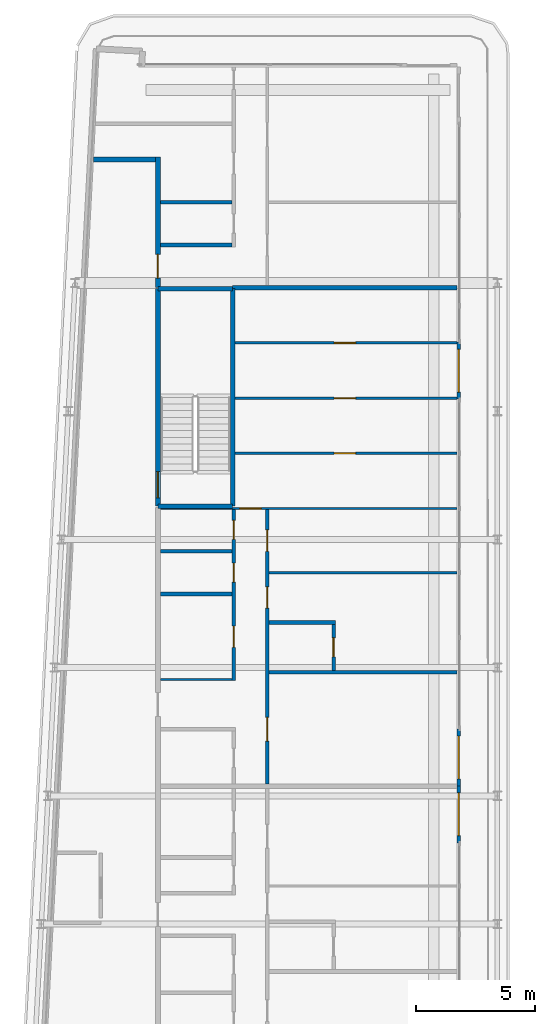
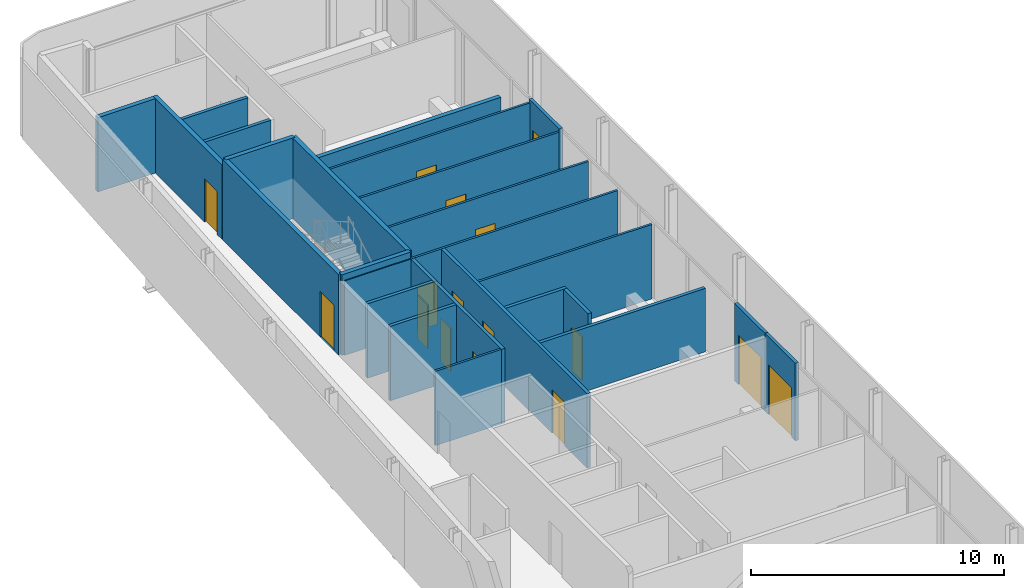
# One storey, part 11 of 18: 25 walls, 16 doors, 16 openings.
"""IFC4 building model written with IfcOpenShell, lengths in metres."""

from ifc_helpers import new_model, si_unit, direction, frame, frame_2d, origin, place, context, subcontext, project, spatial, rectangle, extrude, source, transform, mapped, material, layer, layer_set, type_object, element, fill, save


model = new_model("IFC4")

# Units and contexts
model_context = context("Model", 3, precision=1e-05, world=origin(), true_north=direction((0.0, 1.0)))
body_context = subcontext(model_context, "Body", "Model", "MODEL_VIEW")
ifc_project = project(units=[si_unit("LENGTHUNIT", "METRE"), si_unit("AREAUNIT", "SQUARE_METRE"), si_unit("VOLUMEUNIT", "CUBIC_METRE"), si_unit("PLANEANGLEUNIT", "RADIAN"), si_unit("MASSUNIT", "GRAM", prefix="KILO")], contexts=[model_context])

# Site, building, storey
site_placement = place(None, origin())
site = spatial("IfcSite", under=ifc_project, at=site_placement, CompositionType="ELEMENT")
building_placement = place(site_placement, origin())
building = spatial("IfcBuilding", under=site, at=building_placement, Name="Kheshtan School and Residences Tower", CompositionType="ELEMENT")
storey_placement = place(building_placement, frame((0.0, 0.0, 369.5)))
storey = spatial("IfcBuildingStorey", under=building, at=storey_placement, Name="L87", CompositionType="ELEMENT", Elevation=369.5)

# Wall
ifc_material_1 = material(Name="Gypsum board on steel studs with fire boards", Category="steel")
ifc_layer_1 = layer(ifc_material_1, 0.199951171875)
ifc_layer_set_1 = layer_set([ifc_layer_1], Name="Corridor wall 200")
wall_type_1 = type_object("IfcWallType", Name="Corridor wall 200", PredefinedType="PARTITIONING", material=ifc_layer_set_1)
wall_1_placement = place(storey_placement, frame((30.584716796875, 94.0, 0.0), z_axis=(0.0, 0.0, 1.0), x_axis=(1.0, 0.0, 0.0)))
element("IfcWall", 1, at=wall_1_placement, inside=storey, type_object=wall_type_1, Name="Partition L87-002", PredefinedType="PARTITIONING", context=body_context, shape_type="SweptSolid", body=[
    extrude(rectangle(XDim=2.615234375, YDim=0.199951171875, at=frame_2d((1.3076171875, 0.0))), origin(), (0.0, 0.0, 1.0), 3.60009765625),
])

# Wall, opening, door
wall_2_placement = place(storey_placement, frame((33.300048828125, 88.60009765625, 0.0), z_axis=(0.0, 0.0, 1.0), x_axis=(0.0, 1.0, 0.0)))
wall_2 = element("IfcWall", 2, at=wall_2_placement, inside=storey, type_object=wall_type_1, Name="Partition L87-004", PredefinedType="PARTITIONING", context=body_context, shape_type="SweptSolid", body=[
    extrude(rectangle(XDim=5.5, YDim=0.199951171875, at=frame_2d((2.75, 0.0))), origin(), (0.0, 0.0, 1.0), 3.60009765625),
])
opening_1_placement = place(wall_2_placement, frame((0.39990234375, 0.0, 0.0)))
opening_1 = element("IfcOpeningElement", 3, at=opening_1_placement, cuts=wall_2, Name="Opening D87-025", PredefinedType="OPENING", context=body_context, shape_type="SweptSolid", body=[
    extrude(rectangle(XDim=1.0, YDim=2.10009765625, at=frame_2d((0.5, 1.050048828125))), frame((0.0, 0.10986328125, 0.0), z_axis=(0.0, -1.0, 0.0), x_axis=(1.0, 0.0, 0.0)), (0.0, 0.0, 1.0), 0.219970703125),
])
ifc_material_2 = material(Name="Steel-framed fire-resisting door leaf", Category="steel")
door_type_1 = type_object("IfcDoorType", Name="Fire door FD30S 1000 x 2100", OperationType="SINGLE_SWING_LEFT", PredefinedType="DOOR", material=ifc_material_2)
shared_shape_1 = source(origin(), body_context, "Body", "SweptSolid", [
    extrude(rectangle(XDim=1.0, YDim=2.10009765625, at=frame_2d((0.5, 1.050048828125))), frame((0.0, 0.02490234375, 0.0), z_axis=(0.0, -1.0, 0.0), x_axis=(1.0, 0.0, 0.0)), (0.0, 0.0, 1.0), 0.050048828125),
])
door_1_placement = place(opening_1_placement, origin())
door_1 = element("IfcDoor", 4, at=door_1_placement, inside=storey, type_object=door_type_1, Name="Door D87-025", OperationType="SINGLE_SWING_LEFT", OverallHeight=2.10009765625, OverallWidth=1.0, PredefinedType="DOOR", context=body_context, shape_type="MappedRepresentation", body=[
    mapped(shared_shape_1, transform((0.0, 0.0, 0.0), x_axis=(1.0, 0.0, 0.0), y_axis=(0.0, 1.0, 0.0), z_axis=(0.0, 0.0, 1.0), scale=1.0)),
])
fill(opening_1, door_1)

ifc_material_3 = material(Name="Aluminium frame wall with insulated infill", Category="aluminium")
ifc_layer_2 = layer(ifc_material_3, 0.14990234375)
ifc_layer_set_2 = layer_set([ifc_layer_2], Name="Glazing frame wall 150")
wall_type_2 = type_object("IfcWallType", Name="Glazing frame wall 150", PredefinedType="SOLIDWALL", material=ifc_layer_set_2)
wall_3_placement = place(storey_placement, frame((45.97509765625, 86.305908203125, 0.0), z_axis=(0.0, 0.0, 1.0), x_axis=(0.0, -1.0, 0.0)))
wall_3 = element("IfcWall", 5, at=wall_3_placement, inside=storey, type_object=wall_type_2, Name="Balcony door wall L87 8.2", PredefinedType="SOLIDWALL", context=body_context, shape_type="SweptSolid", body=[
    extrude(rectangle(XDim=2.39990234375, YDim=0.14990234375, at=frame_2d((1.199951171875, 0.0))), origin(), (0.0, 0.0, 1.0), 3.75),
])
opening_2_placement = place(wall_3_placement, frame((0.300048828125, 0.0, 0.0)))
opening_2 = element("IfcOpeningElement", 6, at=opening_2_placement, cuts=wall_3, Name="Opening BD", PredefinedType="OPENING", context=body_context, shape_type="SweptSolid", body=[
    extrude(rectangle(XDim=1.800048828125, YDim=2.39990234375, at=frame_2d((0.89990234375, 1.199951171875))), frame((0.0, 0.0849609375, 0.0), z_axis=(0.0, -1.0, 0.0), x_axis=(1.0, 0.0, 0.0)), (0.0, 0.0, 1.0), 0.169921875),
])
ifc_material_4 = material(Name="Clear low-e glass in thermally broken aluminium frame", Category="aluminium")
door_type_2 = type_object("IfcDoorType", Name="Balcony sliding door", OperationType="SLIDING_TO_LEFT", PredefinedType="DOOR", material=ifc_material_4)
shared_shape_2 = source(origin(), body_context, "Body", "SweptSolid", [
    extrude(rectangle(XDim=1.800048828125, YDim=2.39990234375, at=frame_2d((0.89990234375, 1.199951171875))), frame((0.0, 0.02490234375, 0.0), z_axis=(0.0, -1.0, 0.0), x_axis=(1.0, 0.0, 0.0)), (0.0, 0.0, 1.0), 0.050048828125),
])
door_2_placement = place(opening_2_placement, origin())
door_2 = element("IfcDoor", 7, at=door_2_placement, inside=storey, type_object=door_type_2, Name="Balcony door L87 8.2", OperationType="SLIDING_TO_LEFT", OverallHeight=2.39990234375, OverallWidth=1.800048828125, PredefinedType="DOOR", context=body_context, shape_type="MappedRepresentation", body=[
    mapped(shared_shape_2, transform((0.0, 0.0, 0.0), x_axis=(1.0, 0.0, 0.0), y_axis=(0.0, 1.0, 0.0), z_axis=(0.0, 0.0, 1.0), scale=1.0)),
])
fill(opening_2, door_2)

wall_4_placement = place(storey_placement, frame((45.97509765625, 70.01806640625, 0.0), z_axis=(0.0, 0.0, 1.0), x_axis=(0.0, -1.0, 0.0)))
wall_4 = element("IfcWall", 8, at=wall_4_placement, inside=storey, type_object=wall_type_2, Name="Balcony door wall L87 8.3", PredefinedType="SOLIDWALL", context=body_context, shape_type="SweptSolid", body=[
    extrude(rectangle(XDim=2.400146484375, YDim=0.14990234375, at=frame_2d((1.2001953125, 0.0))), origin(), (0.0, 0.0, 1.0), 3.75),
])
opening_3_placement = place(wall_4_placement, frame((0.300048828125, 0.0, 0.0)))
opening_3 = element("IfcOpeningElement", 9, at=opening_3_placement, cuts=wall_4, Name="Opening BD", PredefinedType="OPENING", context=body_context, shape_type="SweptSolid", body=[
    extrude(rectangle(XDim=1.800048828125, YDim=2.39990234375, at=frame_2d((0.89990234375, 1.199951171875))), frame((0.0, 0.0849609375, 0.0), z_axis=(0.0, -1.0, 0.0), x_axis=(1.0, 0.0, 0.0)), (0.0, 0.0, 1.0), 0.169921875),
])
door_3_placement = place(opening_3_placement, origin())
door_3 = element("IfcDoor", 10, at=door_3_placement, inside=storey, type_object=door_type_2, Name="Balcony door L87 8.3", OperationType="SLIDING_TO_LEFT", OverallHeight=2.39990234375, OverallWidth=1.800048828125, PredefinedType="DOOR", context=body_context, shape_type="MappedRepresentation", body=[
    mapped(shared_shape_2, transform((0.0, 0.0, 0.0), x_axis=(1.0, 0.0, 0.0), y_axis=(0.0, 1.0, 0.0), z_axis=(0.0, 0.0, 1.0), scale=1.0)),
])
fill(opening_3, door_3)

wall_5_placement = place(storey_placement, frame((45.97509765625, 67.617919921875, 0.0), z_axis=(0.0, 0.0, 1.0), x_axis=(0.0, -1.0, 0.0)))
wall_5 = element("IfcWall", 11, at=wall_5_placement, inside=storey, type_object=wall_type_2, Name="Balcony door wall L87 8.4", PredefinedType="SOLIDWALL", context=body_context, shape_type="SweptSolid", body=[
    extrude(rectangle(XDim=2.39990234375, YDim=0.14990234375, at=frame_2d((1.199951171875, 0.0))), origin(), (0.0, 0.0, 1.0), 3.75),
])
opening_4_placement = place(wall_5_placement, frame((0.300048828125, 0.0, 0.0)))
opening_4 = element("IfcOpeningElement", 12, at=opening_4_placement, cuts=wall_5, Name="Opening BD", PredefinedType="OPENING", context=body_context, shape_type="SweptSolid", body=[
    extrude(rectangle(XDim=1.800048828125, YDim=2.39990234375, at=frame_2d((0.89990234375, 1.199951171875))), frame((0.0, 0.0849609375, 0.0), z_axis=(0.0, -1.0, 0.0), x_axis=(1.0, 0.0, 0.0)), (0.0, 0.0, 1.0), 0.169921875),
])
door_4_placement = place(opening_4_placement, origin())
door_4 = element("IfcDoor", 13, at=door_4_placement, inside=storey, type_object=door_type_2, Name="Balcony door L87 8.4", OperationType="SLIDING_TO_LEFT", OverallHeight=2.39990234375, OverallWidth=1.800048828125, PredefinedType="DOOR", context=body_context, shape_type="MappedRepresentation", body=[
    mapped(shared_shape_2, transform((0.0, 0.0, 0.0), x_axis=(1.0, 0.0, 0.0), y_axis=(0.0, 1.0, 0.0), z_axis=(0.0, 0.0, 1.0), scale=1.0)),
])
fill(opening_4, door_4)

# Wall
ifc_material_5 = material(Name="Gypsum board on steel studs", Category="steel")
ifc_layer_3 = layer(ifc_material_5, 0.10009765625)
ifc_layer_set_3 = layer_set([ifc_layer_3], Name="Gypsum partition 100")
wall_type_3 = type_object("IfcWallType", Name="Gypsum partition 100", PredefinedType="PARTITIONING", material=ifc_layer_set_3)
wall_6_placement = place(storey_placement, frame((33.39990234375, 72.10009765625, 0.0), z_axis=(0.0, 0.0, 1.0), x_axis=(1.0, 0.0, 0.0)))
element("IfcWall", 14, at=wall_6_placement, inside=storey, type_object=wall_type_3, Name="Partition L87-012", PredefinedType="PARTITIONING", context=body_context, shape_type="SweptSolid", body=[
    extrude(rectangle(XDim=3.025146484375, YDim=0.10009765625, at=frame_2d((1.5126953125, 0.0))), origin(), (0.0, 0.0, 1.0), 3.60009765625),
])

# Wall, opening, door
wall_7_placement = place(storey_placement, frame((33.39990234375, 79.300048828125, 0.0), z_axis=(0.0, 0.0, 1.0), x_axis=(1.0, 0.0, 0.0)))
wall_7 = element("IfcWall", 15, at=wall_7_placement, inside=storey, type_object=wall_type_3, Name="Partition L87-015", PredefinedType="PARTITIONING", context=body_context, shape_type="SweptSolid", body=[
    extrude(rectangle(XDim=12.5, YDim=0.10009765625, at=frame_2d((6.25, 0.0))), origin(), (0.0, 0.0, 1.0), 3.60009765625),
])
opening_5_placement = place(wall_7_placement, frame((3.35498046875, 0.0, 0.0)))
opening_5 = element("IfcOpeningElement", 16, at=opening_5_placement, cuts=wall_7, Name="Opening D87-019", PredefinedType="OPENING", context=body_context, shape_type="SweptSolid", body=[
    extrude(rectangle(XDim=0.89990234375, YDim=2.10009765625, at=frame_2d((0.449951171875, 1.050048828125))), frame((0.0, 0.06005859375, 0.0), z_axis=(0.0, -1.0, 0.0), x_axis=(1.0, 0.0, 0.0)), (0.0, 0.0, 1.0), 0.1201171875),
])
ifc_material_6 = material(Name="Veneered timber door leaf", Category="wood")
door_type_3 = type_object("IfcDoorType", Name="Door 900 x 2100", OperationType="SINGLE_SWING_LEFT", PredefinedType="DOOR", material=ifc_material_6)
shared_shape_3 = source(origin(), body_context, "Body", "SweptSolid", [
    extrude(rectangle(XDim=0.89990234375, YDim=2.10009765625, at=frame_2d((0.449951171875, 1.050048828125))), frame((0.0, 0.02490234375, 0.0), z_axis=(0.0, -1.0, 0.0), x_axis=(1.0, 0.0, 0.0)), (0.0, 0.0, 1.0), 0.050048828125),
])
door_5_placement = place(opening_5_placement, origin())
door_5 = element("IfcDoor", 17, at=door_5_placement, inside=storey, type_object=door_type_3, Name="Door D87-019", OperationType="SINGLE_SWING_LEFT", OverallHeight=2.10009765625, OverallWidth=0.89990234375, PredefinedType="DOOR", context=body_context, shape_type="MappedRepresentation", body=[
    mapped(shared_shape_3, transform((0.0, 0.0, 0.0), x_axis=(1.0, 0.0, 0.0), y_axis=(0.0, 1.0, 0.0), z_axis=(0.0, 0.0, 1.0), scale=1.0)),
])
fill(opening_5, door_5)

wall_8_placement = place(storey_placement, frame((36.549072265625, 81.625, 0.0), z_axis=(0.0, 0.0, 1.0), x_axis=(1.0, 0.0, 0.0)))
wall_8 = element("IfcWall", 18, at=wall_8_placement, inside=storey, type_object=wall_type_3, Name="Partition L87-025", PredefinedType="PARTITIONING", context=body_context, shape_type="SweptSolid", body=[
    extrude(rectangle(XDim=9.350830078125, YDim=0.10009765625, at=frame_2d((4.67529296875, 0.0))), origin(), (0.0, 0.0, 1.0), 3.60009765625),
])
opening_6_placement = place(wall_8_placement, frame((4.176025390625, 0.0, 0.0)))
opening_6 = element("IfcOpeningElement", 19, at=opening_6_placement, cuts=wall_8, Name="Opening D87-020", PredefinedType="OPENING", context=body_context, shape_type="SweptSolid", body=[
    extrude(rectangle(XDim=0.89990234375, YDim=2.10009765625, at=frame_2d((0.449951171875, 1.050048828125))), frame((0.0, 0.06005859375, 0.0), z_axis=(0.0, -1.0, 0.0), x_axis=(1.0, 0.0, 0.0)), (0.0, 0.0, 1.0), 0.1201171875),
])
door_6_placement = place(opening_6_placement, origin())
door_6 = element("IfcDoor", 20, at=door_6_placement, inside=storey, type_object=door_type_3, Name="Door D87-020", OperationType="SINGLE_SWING_RIGHT", OverallHeight=2.10009765625, OverallWidth=0.89990234375, PredefinedType="DOOR", context=body_context, shape_type="MappedRepresentation", body=[
    mapped(shared_shape_3, transform((0.0, 0.0, 0.0), x_axis=(1.0, 0.0, 0.0), y_axis=(0.0, 1.0, 0.0), z_axis=(0.0, 0.0, 1.0), scale=1.0)),
])
fill(opening_6, door_6)

wall_9_placement = place(storey_placement, frame((36.549072265625, 83.949951171875, 0.0), z_axis=(0.0, 0.0, 1.0), x_axis=(1.0, 0.0, 0.0)))
wall_9 = element("IfcWall", 21, at=wall_9_placement, inside=storey, type_object=wall_type_3, Name="Partition L87-026", PredefinedType="PARTITIONING", context=body_context, shape_type="SweptSolid", body=[
    extrude(rectangle(XDim=9.350830078125, YDim=0.10009765625, at=frame_2d((4.67529296875, 0.0))), origin(), (0.0, 0.0, 1.0), 3.60009765625),
])
opening_7_placement = place(wall_9_placement, frame((4.176025390625, 0.0, 0.0)))
opening_7 = element("IfcOpeningElement", 22, at=opening_7_placement, cuts=wall_9, Name="Opening D87-021", PredefinedType="OPENING", context=body_context, shape_type="SweptSolid", body=[
    extrude(rectangle(XDim=0.89990234375, YDim=2.10009765625, at=frame_2d((0.449951171875, 1.050048828125))), frame((0.0, 0.06005859375, 0.0), z_axis=(0.0, -1.0, 0.0), x_axis=(1.0, 0.0, 0.0)), (0.0, 0.0, 1.0), 0.1201171875),
])
door_7_placement = place(opening_7_placement, origin())
door_7 = element("IfcDoor", 23, at=door_7_placement, inside=storey, type_object=door_type_3, Name="Door D87-021", OperationType="SINGLE_SWING_RIGHT", OverallHeight=2.10009765625, OverallWidth=0.89990234375, PredefinedType="DOOR", context=body_context, shape_type="MappedRepresentation", body=[
    mapped(shared_shape_3, transform((0.0, 0.0, 0.0), x_axis=(1.0, 0.0, 0.0), y_axis=(0.0, 1.0, 0.0), z_axis=(0.0, 0.0, 1.0), scale=1.0)),
])
fill(opening_7, door_7)

wall_10_placement = place(storey_placement, frame((36.549072265625, 86.27490234375, 0.0), z_axis=(0.0, 0.0, 1.0), x_axis=(1.0, 0.0, 0.0)))
wall_10 = element("IfcWall", 24, at=wall_10_placement, inside=storey, type_object=wall_type_3, Name="Partition L87-027", PredefinedType="PARTITIONING", context=body_context, shape_type="SweptSolid", body=[
    extrude(rectangle(XDim=9.350830078125, YDim=0.10009765625, at=frame_2d((4.67529296875, 0.0))), origin(), (0.0, 0.0, 1.0), 3.60009765625),
])
opening_8_placement = place(wall_10_placement, frame((4.176025390625, 0.0, 0.0)))
opening_8 = element("IfcOpeningElement", 25, at=opening_8_placement, cuts=wall_10, Name="Opening D87-022", PredefinedType="OPENING", context=body_context, shape_type="SweptSolid", body=[
    extrude(rectangle(XDim=0.89990234375, YDim=2.10009765625, at=frame_2d((0.449951171875, 1.050048828125))), frame((0.0, 0.06005859375, 0.0), z_axis=(0.0, -1.0, 0.0), x_axis=(1.0, 0.0, 0.0)), (0.0, 0.0, 1.0), 0.1201171875),
])
door_8_placement = place(opening_8_placement, origin())
door_8 = element("IfcDoor", 26, at=door_8_placement, inside=storey, type_object=door_type_3, Name="Door D87-022", OperationType="SINGLE_SWING_RIGHT", OverallHeight=2.10009765625, OverallWidth=0.89990234375, PredefinedType="DOOR", context=body_context, shape_type="MappedRepresentation", body=[
    mapped(shared_shape_3, transform((0.0, 0.0, 0.0), x_axis=(1.0, 0.0, 0.0), y_axis=(0.0, 1.0, 0.0), z_axis=(0.0, 0.0, 1.0), scale=1.0)),
])
fill(opening_8, door_8)

# Walls
wall_11_placement = place(storey_placement, frame((37.97509765625, 76.60009765625, 0.0), z_axis=(0.0, 0.0, 1.0), x_axis=(1.0, 0.0, 0.0)))
element("IfcWall", 27, at=wall_11_placement, inside=storey, type_object=wall_type_3, Name="Partition L87-037", PredefinedType="PARTITIONING", context=body_context, shape_type="SweptSolid", body=[
    extrude(rectangle(XDim=7.9248046875, YDim=0.10009765625, at=frame_2d((3.96240234375, 0.0))), origin(), (0.0, 0.0, 1.0), 3.60009765625),
])
ifc_material_7 = material(Name="Concrete C40/50", Category="concrete")
ifc_layer_4 = layer(ifc_material_7, 0.199951171875)
ifc_layer_set_4 = layer_set([ifc_layer_4], Name="Stair enclosure wall 200 Concrete C40/50")
wall_type_4 = type_object("IfcWallType", Name="Stair enclosure wall 200 Concrete C40/50", PredefinedType="SHEAR", material=ifc_layer_set_4)
for number, where, z_axis, x_axis, name in (
    (28, (33.300048828125, 79.39990234375, 0.0), (0.0, 0.0, 1.0), (1.0, 0.0, 0.0), "Stair enclosure wall ST3"),
    (29, (33.300048828125, 88.56005859375, 0.0), (0.0, 0.0, 1.0), (1.0, 0.0, 0.0), "Stair enclosure wall ST3"),
):
    element("IfcWall", number, at=place(storey_placement, frame(where, z_axis=z_axis, x_axis=x_axis)), inside=storey, type_object=wall_type_4, Name=name, PredefinedType="SHEAR", context=body_context, shape_type="SweptSolid", body=[
        extrude(rectangle(XDim=3.14990234375, YDim=0.199951171875, at=frame_2d((1.574951171875, 0.0))), origin(), (0.0, 0.0, 1.0), 3.89990234375),
    ])

# Wall, opening, door
wall_12_placement = place(storey_placement, frame((33.300048828125, 79.39990234375, 0.0), z_axis=(0.0, 0.0, 1.0), x_axis=(0.0, 1.0, 0.0)))
wall_12 = element("IfcWall", 30, at=wall_12_placement, inside=storey, type_object=wall_type_4, Name="Stair enclosure wall ST3", PredefinedType="SHEAR", context=body_context, shape_type="SweptSolid", body=[
    extrude(rectangle(XDim=9.16015625, YDim=0.199951171875, at=frame_2d((4.580078125, 0.0))), origin(), (0.0, 0.0, 1.0), 3.89990234375),
])
opening_9_placement = place(wall_12_placement, frame((0.35009765625, 0.0, 0.0)))
opening_9 = element("IfcOpeningElement", 31, at=opening_9_placement, cuts=wall_12, Name="Opening ST3D", PredefinedType="OPENING", context=body_context, shape_type="SweptSolid", body=[
    extrude(rectangle(XDim=1.10009765625, YDim=2.199951171875, at=frame_2d((0.550048828125, 1.10009765625))), frame((0.0, 0.10986328125, 0.0), z_axis=(0.0, -1.0, 0.0), x_axis=(1.0, 0.0, 0.0)), (0.0, 0.0, 1.0), 0.219970703125),
])
ifc_material_8 = material(Name="Steel door leaf, galvanised", Category="steel")
door_type_4 = type_object("IfcDoorType", Name="Stair door 1100 steel 90 min", OperationType="SINGLE_SWING_LEFT", PredefinedType="DOOR", material=ifc_material_8)
shared_shape_4 = source(origin(), body_context, "Body", "SweptSolid", [
    extrude(rectangle(XDim=1.10009765625, YDim=2.199951171875, at=frame_2d((0.550048828125, 1.10009765625))), frame((0.0, 0.02490234375, 0.0), z_axis=(0.0, -1.0, 0.0), x_axis=(1.0, 0.0, 0.0)), (0.0, 0.0, 1.0), 0.050048828125),
])
door_9_placement = place(opening_9_placement, origin())
door_9 = element("IfcDoor", 32, at=door_9_placement, inside=storey, type_object=door_type_4, Name="Stair ST3 door", OperationType="SINGLE_SWING_RIGHT", OverallHeight=2.199951171875, OverallWidth=1.10009765625, PredefinedType="DOOR", context=body_context, shape_type="MappedRepresentation", body=[
    mapped(shared_shape_4, transform((0.0, 0.0, 0.0), x_axis=(1.0, 0.0, 0.0), y_axis=(0.0, 1.0, 0.0), z_axis=(0.0, 0.0, 1.0), scale=1.0)),
])
fill(opening_9, door_9)

# Walls
wall_13_placement = place(storey_placement, frame((36.449951171875, 79.39990234375, 0.0), z_axis=(0.0, 0.0, 1.0), x_axis=(0.0, 1.0, 0.0)))
element("IfcWall", 33, at=wall_13_placement, inside=storey, type_object=wall_type_4, Name="Stair enclosure wall ST3", PredefinedType="SHEAR", context=body_context, shape_type="SweptSolid", body=[
    extrude(rectangle(XDim=9.16015625, YDim=0.199951171875, at=frame_2d((4.580078125, 0.0))), origin(), (0.0, 0.0, 1.0), 3.89990234375),
])
ifc_material_9 = material(Name="Twin gypsum board on steel studs with mineral wool", Category="steel")
ifc_layer_5 = layer(ifc_material_9, 0.199951171875)
ifc_layer_set_5 = layer_set([ifc_layer_5], Name="Unit demising wall 200")
wall_type_5 = type_object("IfcWallType", Name="Unit demising wall 200", PredefinedType="PARTITIONING", material=ifc_layer_set_5)
wall_14_placement = place(storey_placement, frame((36.449951171875, 88.60009765625, 0.0), z_axis=(0.0, 0.0, 1.0), x_axis=(1.0, 0.0, 0.0)))
element("IfcWall", 34, at=wall_14_placement, inside=storey, type_object=wall_type_5, Name="Partition L87-023", PredefinedType="PARTITIONING", context=body_context, shape_type="SweptSolid", body=[
    extrude(rectangle(XDim=9.449951171875, YDim=0.199951171875, at=frame_2d((4.72509765625, 0.0))), origin(), (0.0, 0.0, 1.0), 2.5),
])
ifc_material_10 = material(Name="Moisture-resistant gypsum board on steel studs", Category="steel")
ifc_layer_6 = layer(ifc_material_10, 0.14990234375)
ifc_layer_set_6 = layer_set([ifc_layer_6], Name="Wet-room partition 150")
wall_type_6 = type_object("IfcWallType", Name="Wet-room partition 150", PredefinedType="PARTITIONING", material=ifc_layer_set_6)
for number, where, z_axis, x_axis, name in (
    (35, (33.39990234375, 75.699951171875, 0.0), (0.0, 0.0, 1.0), (1.0, 0.0, 0.0), "Partition L87-013"),
    (36, (33.39990234375, 77.5, 0.0), (0.0, 0.0, 1.0), (1.0, 0.0, 0.0), "Partition L87-014"),
    (37, (33.39990234375, 90.39990234375, 0.0), (0.0, 0.0, 1.0), (1.0, 0.0, 0.0), "Partition L87-016"),
    (38, (33.39990234375, 92.199951171875, 0.0), (0.0, 0.0, 1.0), (1.0, 0.0, 0.0), "Partition L87-017"),
):
    element("IfcWall", number, at=place(storey_placement, frame(where, z_axis=z_axis, x_axis=x_axis)), inside=storey, type_object=wall_type_6, Name=name, PredefinedType="PARTITIONING", context=body_context, shape_type="SweptSolid", body=[
        extrude(rectangle(XDim=3.025146484375, YDim=0.14990234375, at=frame_2d((1.5126953125, 0.0))), origin(), (0.0, 0.0, 1.0), 3.60009765625),
    ])

# Wall, openings, doors
wall_15_placement = place(storey_placement, frame((36.5, 72.050048828125, 0.0), z_axis=(0.0, 0.0, 1.0), x_axis=(0.0, 1.0, 0.0)))
wall_15 = element("IfcWall", 39, at=wall_15_placement, inside=storey, type_object=wall_type_6, Name="Partition L87-022", PredefinedType="PARTITIONING", context=body_context, shape_type="SweptSolid", body=[
    extrude(rectangle(XDim=7.199951171875, YDim=0.14990234375, at=frame_2d((3.60009765625, 0.0))), origin(), (0.0, 0.0, 1.0), 3.60009765625),
])
opening_10_placement = place(wall_15_placement, frame((1.39990234375, 0.0, 0.0)))
opening_10 = element("IfcOpeningElement", 40, at=opening_10_placement, cuts=wall_15, Name="Opening D87-014", PredefinedType="OPENING", context=body_context, shape_type="SweptSolid", body=[
    extrude(rectangle(XDim=0.89990234375, YDim=2.10009765625, at=frame_2d((0.449951171875, 1.050048828125))), frame((0.0, 0.0849609375, 0.0), z_axis=(0.0, -1.0, 0.0), x_axis=(1.0, 0.0, 0.0)), (0.0, 0.0, 1.0), 0.169921875),
])
opening_11_placement = place(wall_15_placement, frame((5.949951171875, 0.0, 0.0)))
opening_11 = element("IfcOpeningElement", 41, at=opening_11_placement, cuts=wall_15, Name="Opening D87-017", PredefinedType="OPENING", context=body_context, shape_type="SweptSolid", body=[
    extrude(rectangle(XDim=0.800048828125, YDim=2.10009765625, at=frame_2d((0.39990234375, 1.050048828125))), frame((0.0, 0.0849609375, 0.0), z_axis=(0.0, -1.0, 0.0), x_axis=(1.0, 0.0, 0.0)), (0.0, 0.0, 1.0), 0.169921875),
])
opening_12_placement = place(wall_15_placement, frame((4.14990234375, 0.0, 0.0)))
opening_12 = element("IfcOpeningElement", 42, at=opening_12_placement, cuts=wall_15, Name="Opening D87-018", PredefinedType="OPENING", context=body_context, shape_type="SweptSolid", body=[
    extrude(rectangle(XDim=0.800048828125, YDim=2.10009765625, at=frame_2d((0.39990234375, 1.050048828125))), frame((0.0, 0.0849609375, 0.0), z_axis=(0.0, -1.0, 0.0), x_axis=(1.0, 0.0, 0.0)), (0.0, 0.0, 1.0), 0.169921875),
])
door_type_5 = type_object("IfcDoorType", Name="Door 800 x 2100", OperationType="SINGLE_SWING_LEFT", PredefinedType="DOOR", material=ifc_material_6)
shared_shape_5 = source(origin(), body_context, "Body", "SweptSolid", [
    extrude(rectangle(XDim=0.800048828125, YDim=2.10009765625, at=frame_2d((0.39990234375, 1.050048828125))), frame((0.0, 0.02490234375, 0.0), z_axis=(0.0, -1.0, 0.0), x_axis=(1.0, 0.0, 0.0)), (0.0, 0.0, 1.0), 0.050048828125),
])
door_10_placement = place(opening_11_placement, origin())
door_10 = element("IfcDoor", 43, at=door_10_placement, inside=storey, type_object=door_type_5, Name="Door D87-017", OperationType="SINGLE_SWING_RIGHT", OverallHeight=2.10009765625, OverallWidth=0.800048828125, PredefinedType="DOOR", context=body_context, shape_type="MappedRepresentation", body=[
    mapped(shared_shape_5, transform((0.0, 0.0, 0.0), x_axis=(1.0, 0.0, 0.0), y_axis=(0.0, 1.0, 0.0), z_axis=(0.0, 0.0, 1.0), scale=1.0)),
])
fill(opening_11, door_10)
door_11_placement = place(opening_12_placement, origin())
door_11 = element("IfcDoor", 44, at=door_11_placement, inside=storey, type_object=door_type_5, Name="Door D87-018", OperationType="SINGLE_SWING_RIGHT", OverallHeight=2.10009765625, OverallWidth=0.800048828125, PredefinedType="DOOR", context=body_context, shape_type="MappedRepresentation", body=[
    mapped(shared_shape_5, transform((0.0, 0.0, 0.0), x_axis=(1.0, 0.0, 0.0), y_axis=(0.0, 1.0, 0.0), z_axis=(0.0, 0.0, 1.0), scale=1.0)),
])
fill(opening_12, door_11)
door_12_placement = place(opening_10_placement, origin())
door_12 = element("IfcDoor", 45, at=door_12_placement, inside=storey, type_object=door_type_3, Name="Door D87-014", OperationType="SINGLE_SWING_RIGHT", OverallHeight=2.10009765625, OverallWidth=0.89990234375, PredefinedType="DOOR", context=body_context, shape_type="MappedRepresentation", body=[
    mapped(shared_shape_3, transform((0.0, 0.0, 0.0), x_axis=(1.0, 0.0, 0.0), y_axis=(0.0, 1.0, 0.0), z_axis=(0.0, 0.0, 1.0), scale=1.0)),
])
fill(opening_10, door_12)

wall_16_placement = place(storey_placement, frame((37.89990234375, 67.699951171875, 0.0), z_axis=(0.0, 0.0, 1.0), x_axis=(0.0, 1.0, 0.0)))
wall_16 = element("IfcWall", 46, at=wall_16_placement, inside=storey, type_object=wall_type_6, Name="Partition L87-029", PredefinedType="PARTITIONING", context=body_context, shape_type="SweptSolid", body=[
    extrude(rectangle(XDim=11.550048828125, YDim=0.14990234375, at=frame_2d((5.77490234375, 0.0))), origin(), (0.0, 0.0, 1.0), 3.60009765625),
])
opening_13_placement = place(wall_16_placement, frame((9.800048828125, 0.0, 0.0)))
opening_13 = element("IfcOpeningElement", 47, at=opening_13_placement, cuts=wall_16, Name="Opening D87-011", PredefinedType="OPENING", context=body_context, shape_type="SweptSolid", body=[
    extrude(rectangle(XDim=0.89990234375, YDim=2.10009765625, at=frame_2d((0.449951171875, 1.050048828125))), frame((0.0, 0.0849609375, 0.0), z_axis=(0.0, -1.0, 0.0), x_axis=(1.0, 0.0, 0.0)), (0.0, 0.0, 1.0), 0.169921875),
])
opening_14_placement = place(wall_16_placement, frame((1.800048828125, 0.0, 0.0)))
opening_14 = element("IfcOpeningElement", 48, at=opening_14_placement, cuts=wall_16, Name="Opening D87-015", PredefinedType="OPENING", context=body_context, shape_type="SweptSolid", body=[
    extrude(rectangle(XDim=1.0, YDim=2.10009765625, at=frame_2d((0.5, 1.050048828125))), frame((0.0, 0.0849609375, 0.0), z_axis=(0.0, -1.0, 0.0), x_axis=(1.0, 0.0, 0.0)), (0.0, 0.0, 1.0), 0.169921875),
])
opening_15_placement = place(wall_16_placement, frame((7.39990234375, 0.0, 0.0)))
opening_15 = element("IfcOpeningElement", 49, at=opening_15_placement, cuts=wall_16, Name="Opening D87-016", PredefinedType="OPENING", context=body_context, shape_type="SweptSolid", body=[
    extrude(rectangle(XDim=0.89990234375, YDim=2.10009765625, at=frame_2d((0.449951171875, 1.050048828125))), frame((0.0, 0.0849609375, 0.0), z_axis=(0.0, -1.0, 0.0), x_axis=(1.0, 0.0, 0.0)), (0.0, 0.0, 1.0), 0.169921875),
])
door_type_6 = type_object("IfcDoorType", Name="Door 1000 x 2100", OperationType="SINGLE_SWING_LEFT", PredefinedType="DOOR", material=ifc_material_6)
shared_shape_6 = source(origin(), body_context, "Body", "SweptSolid", [
    extrude(rectangle(XDim=1.0, YDim=2.10009765625, at=frame_2d((0.5, 1.050048828125))), frame((0.0, 0.02490234375, 0.0), z_axis=(0.0, -1.0, 0.0), x_axis=(1.0, 0.0, 0.0)), (0.0, 0.0, 1.0), 0.050048828125),
])
door_13_placement = place(opening_14_placement, origin())
door_13 = element("IfcDoor", 50, at=door_13_placement, inside=storey, type_object=door_type_6, Name="Door D87-015", OperationType="SINGLE_SWING_RIGHT", OverallHeight=2.10009765625, OverallWidth=1.0, PredefinedType="DOOR", context=body_context, shape_type="MappedRepresentation", body=[
    mapped(shared_shape_6, transform((0.0, 0.0, 0.0), x_axis=(1.0, 0.0, 0.0), y_axis=(0.0, 1.0, 0.0), z_axis=(0.0, 0.0, 1.0), scale=1.0)),
])
fill(opening_14, door_13)
door_14_placement = place(opening_13_placement, origin())
door_14 = element("IfcDoor", 51, at=door_14_placement, inside=storey, type_object=door_type_3, Name="Door D87-011", OperationType="SINGLE_SWING_LEFT", OverallHeight=2.10009765625, OverallWidth=0.89990234375, PredefinedType="DOOR", context=body_context, shape_type="MappedRepresentation", body=[
    mapped(shared_shape_3, transform((0.0, 0.0, 0.0), x_axis=(1.0, 0.0, 0.0), y_axis=(0.0, 1.0, 0.0), z_axis=(0.0, 0.0, 1.0), scale=1.0)),
])
fill(opening_13, door_14)
door_15_placement = place(opening_15_placement, origin())
door_15 = element("IfcDoor", 52, at=door_15_placement, inside=storey, type_object=door_type_3, Name="Door D87-016", OperationType="SINGLE_SWING_RIGHT", OverallHeight=2.10009765625, OverallWidth=0.89990234375, PredefinedType="DOOR", context=body_context, shape_type="MappedRepresentation", body=[
    mapped(shared_shape_3, transform((0.0, 0.0, 0.0), x_axis=(1.0, 0.0, 0.0), y_axis=(0.0, 1.0, 0.0), z_axis=(0.0, 0.0, 1.0), scale=1.0)),
])
fill(opening_15, door_15)

# Walls
wall_17_placement = place(storey_placement, frame((37.97509765625, 72.39990234375, 0.0), z_axis=(0.0, 0.0, 1.0), x_axis=(1.0, 0.0, 0.0)))
element("IfcWall", 53, at=wall_17_placement, inside=storey, type_object=wall_type_6, Name="Partition L87-035", PredefinedType="PARTITIONING", context=body_context, shape_type="SweptSolid", body=[
    extrude(rectangle(XDim=7.9248046875, YDim=0.14990234375, at=frame_2d((3.96240234375, 0.0))), origin(), (0.0, 0.0, 1.0), 3.072021484375),
])
wall_18_placement = place(storey_placement, frame((37.97509765625, 74.5, 0.0), z_axis=(0.0, 0.0, 1.0), x_axis=(1.0, 0.0, 0.0)))
element("IfcWall", 54, at=wall_18_placement, inside=storey, type_object=wall_type_6, Name="Partition L87-036", PredefinedType="PARTITIONING", context=body_context, shape_type="SweptSolid", body=[
    extrude(rectangle(XDim=2.7998046875, YDim=0.14990234375, at=frame_2d((1.39990234375, 0.0))), origin(), (0.0, 0.0, 1.0), 3.60009765625),
])

# Wall, opening, door
wall_19_placement = place(storey_placement, frame((40.699951171875, 72.47509765625, 0.0), z_axis=(0.0, 0.0, 1.0), x_axis=(0.0, 1.0, 0.0)))
wall_19 = element("IfcWall", 55, at=wall_19_placement, inside=storey, type_object=wall_type_6, Name="Partition L87-040", PredefinedType="PARTITIONING", context=body_context, shape_type="SweptSolid", body=[
    extrude(rectangle(XDim=1.949951171875, YDim=0.14990234375, at=frame_2d((0.97509765625, 0.0))), origin(), (0.0, 0.0, 1.0), 3.60009765625),
])
opening_16_placement = place(wall_19_placement, frame((0.574951171875, 0.0, 0.0)))
opening_16 = element("IfcOpeningElement", 56, at=opening_16_placement, cuts=wall_19, Name="Opening D87-012", PredefinedType="OPENING", context=body_context, shape_type="SweptSolid", body=[
    extrude(rectangle(XDim=0.800048828125, YDim=2.10009765625, at=frame_2d((0.39990234375, 1.050048828125))), frame((0.0, 0.0849609375, 0.0), z_axis=(0.0, -1.0, 0.0), x_axis=(1.0, 0.0, 0.0)), (0.0, 0.0, 1.0), 0.169921875),
])
door_16_placement = place(opening_16_placement, origin())
door_16 = element("IfcDoor", 57, at=door_16_placement, inside=storey, type_object=door_type_5, Name="Door D87-012", OperationType="SINGLE_SWING_RIGHT", OverallHeight=2.10009765625, OverallWidth=0.800048828125, PredefinedType="DOOR", context=body_context, shape_type="MappedRepresentation", body=[
    mapped(shared_shape_5, transform((0.0, 0.0, 0.0), x_axis=(1.0, 0.0, 0.0), y_axis=(0.0, 1.0, 0.0), z_axis=(0.0, 0.0, 1.0), scale=1.0)),
])
fill(opening_16, door_16)

save(model, "model.ifc")
